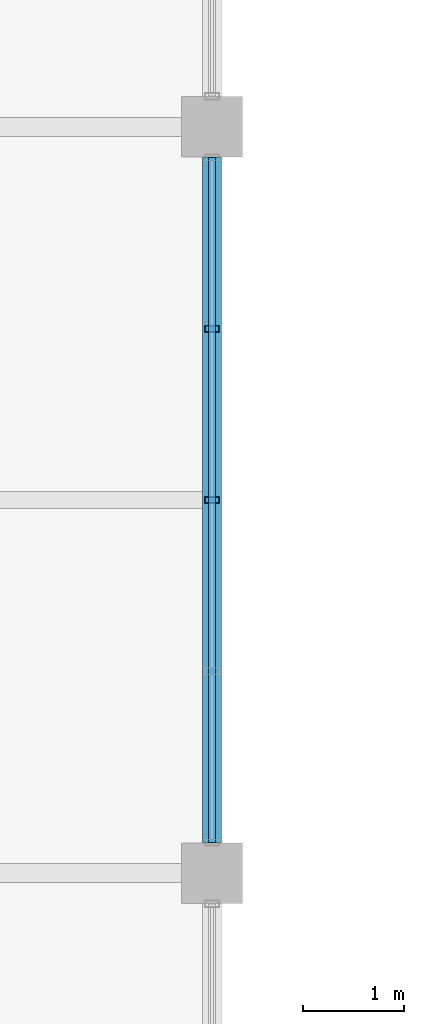
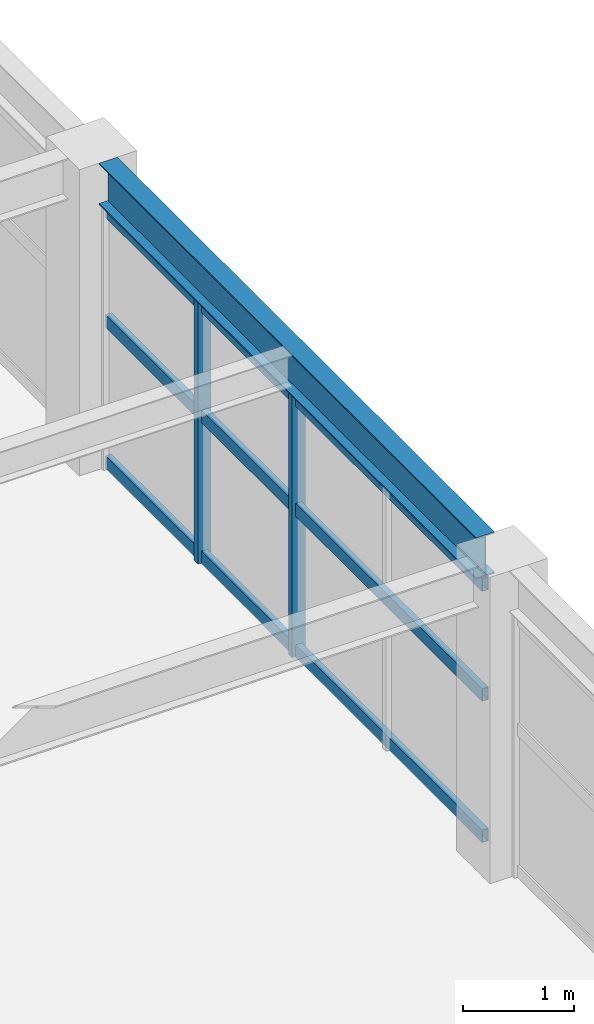
# One storey, part 51 of 121: 5 members, 1 beam, 1 element without a shape of its own.
"""IFC4 building model written with IfcOpenShell, lengths in metres."""

from ifc_helpers import new_model, si_unit, direction, frame, origin, origin_2d, place, context, subcontext, project, spatial, hollow_rectangle, i_section, extrude, material, material_profile, profile_set, type_object, element, aggregate, save


model = new_model("IFC4")

# Units and contexts
model_context = context("Model", 3, precision=1e-05, world=origin(), true_north=direction((0.0, 1.0)))
body_context = subcontext(model_context, "Body", "Model", "MODEL_VIEW")
ifc_project = project(units=[si_unit("LENGTHUNIT", "METRE"), si_unit("AREAUNIT", "SQUARE_METRE"), si_unit("VOLUMEUNIT", "CUBIC_METRE"), si_unit("PLANEANGLEUNIT", "RADIAN"), si_unit("MASSUNIT", "GRAM", prefix="KILO")], contexts=[model_context])

# Site, building, storey
site_placement = place(None, origin())
site = spatial("IfcSite", under=ifc_project, at=site_placement, CompositionType="ELEMENT")
building_placement = place(site_placement, origin())
building = spatial("IfcBuilding", under=site, at=building_placement, Name="Cimatlan Art Gallery", CompositionType="ELEMENT")
storey_placement = place(building_placement, frame((0.0, 0.0, 10.199951171875)))
storey = spatial("IfcBuildingStorey", under=building, at=storey_placement, Name="L02", CompositionType="ELEMENT", Elevation=10.199951171875)

# Beam
ifc_material_1 = material(Name="Steel ASTM A992 Grade 50", Category="steel")
ifc_material_profile_1 = material_profile(ifc_material_1, i_section(OverallWidth=0.19091796875, OverallDepth=0.45703125, WebThickness=0.009033203125, FlangeThickness=0.014404296875, at=origin_2d()), Name="W18X50")
ifc_profile_set_1 = profile_set([ifc_material_profile_1], Name="Steel ASTM A992 Grade 50")
beam_type = type_object("IfcBeamType", Name="BM-STL-W18X50", PredefinedType="BEAM", material=ifc_profile_set_1)
beam_placement = place(storey_placement, frame((50.60009765625, 76.0, 3.1416015625), z_axis=(0.0, 1.0, 0.0), x_axis=(-1.0, 0.0, 0.0)))
element("IfcBeam", 1, at=beam_placement, inside=storey, type_object=beam_type, Name="BM-Y-L02-06-10", PredefinedType="BEAM", context=body_context, shape_type="SweptSolid", body=[
    extrude(i_section(OverallWidth=0.19091796875, OverallDepth=0.45703125, WebThickness=0.009033203125, FlangeThickness=0.014404296875, at=origin_2d()), origin(), (0.0, 0.0, 1.0), 6.800048828125),
])

# Curtain wall, members
ifc_material_2 = material(Name="Anodised bronze unitised curtain wall")
curtain_wall_type = type_object("IfcCurtainWallType", Name="CW-V-06792X02883-B4", PredefinedType="NOTDEFINED", material=ifc_material_2)
curtain_wall_placement = place(storey_placement, origin())
curtain_wall = element("IfcCurtainWall", 2, at=curtain_wall_placement, inside=storey, type_object=curtain_wall_type, Name="CW-L02-05-10-E", PredefinedType="NOTDEFINED")
ifc_material_3 = material(Name="Anodised bronze aluminium 6063-T6", Category="aluminium")
ifc_material_profile_2 = material_profile(ifc_material_3, hollow_rectangle(XDim=0.06494140625, YDim=0.139892578125, WallThickness=0.00390625, at=origin_2d()), Name="ALU65X140X4")
ifc_profile_set_2 = profile_set([ifc_material_profile_2], Name="Anodised bronze aluminium 6063-T6")
member_type_1 = type_object("IfcMemberType", Name="CW-MUL-140", PredefinedType="MULLION", material=ifc_profile_set_2)
member_1_placement = place(storey_placement, frame((50.60009765625, 81.097900390625, 0.0), z_axis=(0.0, 0.0, 1.0), x_axis=(0.0, 1.0, 0.0)))
member_1 = element("IfcMember", 3, at=member_1_placement, type_object=member_type_1, Name="CW-L02-05-10-E-M2", PredefinedType="MULLION", context=body_context, shape_type="SweptSolid", body=[
    extrude(hollow_rectangle(XDim=0.06494140625, YDim=0.139892578125, WallThickness=0.00390625, at=origin_2d()), origin(), (0.0, 0.0, 1.0), 2.883056640625),
])
member_2_placement = place(storey_placement, frame((50.60009765625, 79.39990234375, 0.0), z_axis=(0.0, 0.0, 1.0), x_axis=(0.0, 1.0, 0.0)))
member_2 = element("IfcMember", 4, at=member_2_placement, type_object=member_type_1, Name="CW-L02-05-10-E-M3", PredefinedType="MULLION", context=body_context, shape_type="SweptSolid", body=[
    extrude(hollow_rectangle(XDim=0.06494140625, YDim=0.139892578125, WallThickness=0.00390625, at=origin_2d()), origin(), (0.0, 0.0, 1.0), 2.883056640625),
])
ifc_material_profile_3 = material_profile(ifc_material_3, hollow_rectangle(XDim=0.06494140625, YDim=0.139892578125, WallThickness=0.00390625, at=origin_2d()), Name="ALU65X140X4")
ifc_profile_set_3 = profile_set([ifc_material_profile_3], Name="Anodised bronze aluminium 6063-T6")
member_type_2 = type_object("IfcMemberType", Name="CW-TRN-140", PredefinedType="USERDEFINED", material=ifc_profile_set_3)
member_3_placement = place(storey_placement, frame((50.60009765625, 82.7958984375, 0.06005859375), z_axis=(0.0, -1.0, 0.0), x_axis=(1.0, 0.0, 0.0)))
member_3 = element("IfcMember", 5, at=member_3_placement, type_object=member_type_2, Name="CW-L02-05-10-E-T1", ObjectType="TRANSOM", PredefinedType="USERDEFINED", context=body_context, shape_type="SweptSolid", body=[
    extrude(hollow_rectangle(XDim=0.06494140625, YDim=0.139892578125, WallThickness=0.00390625, at=origin_2d()), origin(), (0.0, 0.0, 1.0), 6.7919921875),
])
member_4_placement = place(storey_placement, frame((50.60009765625, 82.7958984375, 1.614501953125), z_axis=(0.0, -1.0, 0.0), x_axis=(1.0, 0.0, 0.0)))
member_4 = element("IfcMember", 6, at=member_4_placement, type_object=member_type_2, Name="CW-L02-05-10-E-T2", ObjectType="TRANSOM", PredefinedType="USERDEFINED", context=body_context, shape_type="SweptSolid", body=[
    extrude(hollow_rectangle(XDim=0.06494140625, YDim=0.139892578125, WallThickness=0.00390625, at=origin_2d()), origin(), (0.0, 0.0, 1.0), 6.7919921875),
])
member_5_placement = place(storey_placement, frame((50.60009765625, 82.7958984375, 2.822998046875), z_axis=(0.0, -1.0, 0.0), x_axis=(1.0, 0.0, 0.0)))
member_5 = element("IfcMember", 7, at=member_5_placement, type_object=member_type_2, Name="CW-L02-05-10-E-T3", ObjectType="TRANSOM", PredefinedType="USERDEFINED", context=body_context, shape_type="SweptSolid", body=[
    extrude(hollow_rectangle(XDim=0.06494140625, YDim=0.139892578125, WallThickness=0.00390625, at=origin_2d()), origin(), (0.0, 0.0, 1.0), 6.7919921875),
])
aggregate(curtain_wall, [member_1, member_2, member_3, member_4, member_5])

save(model, "model.ifc")
